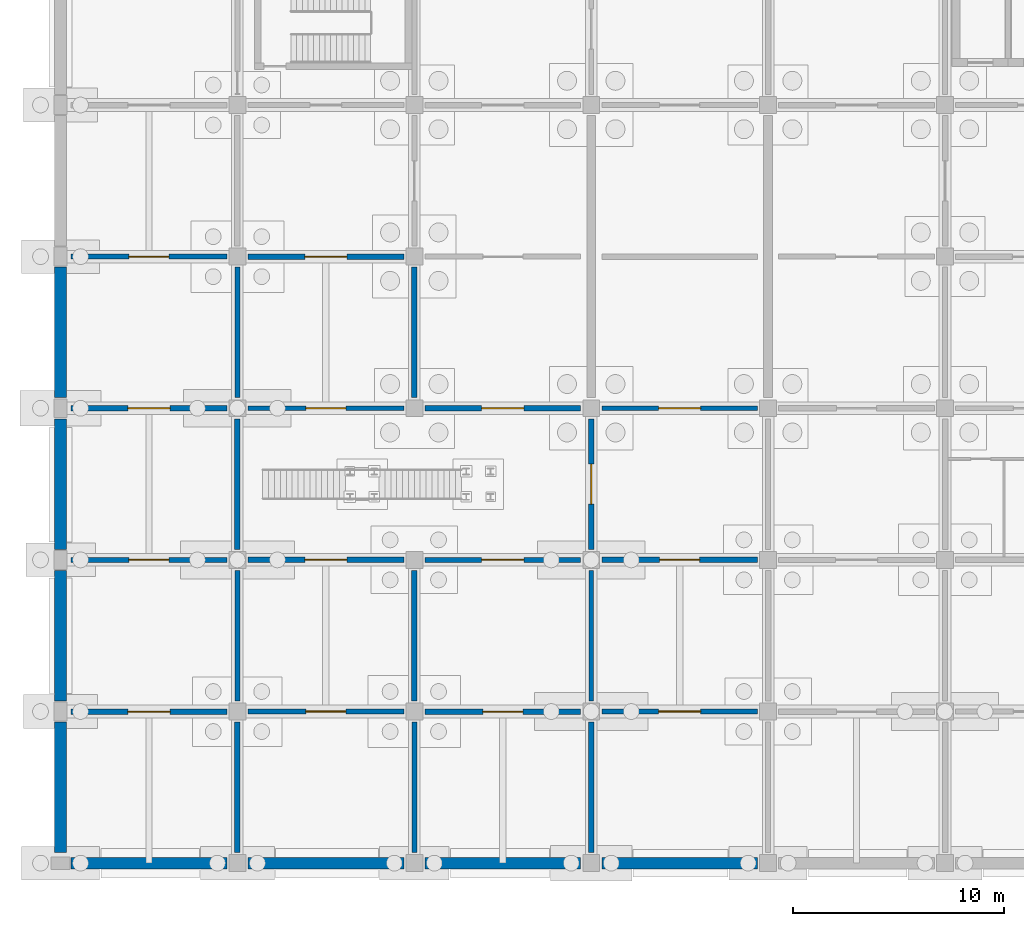
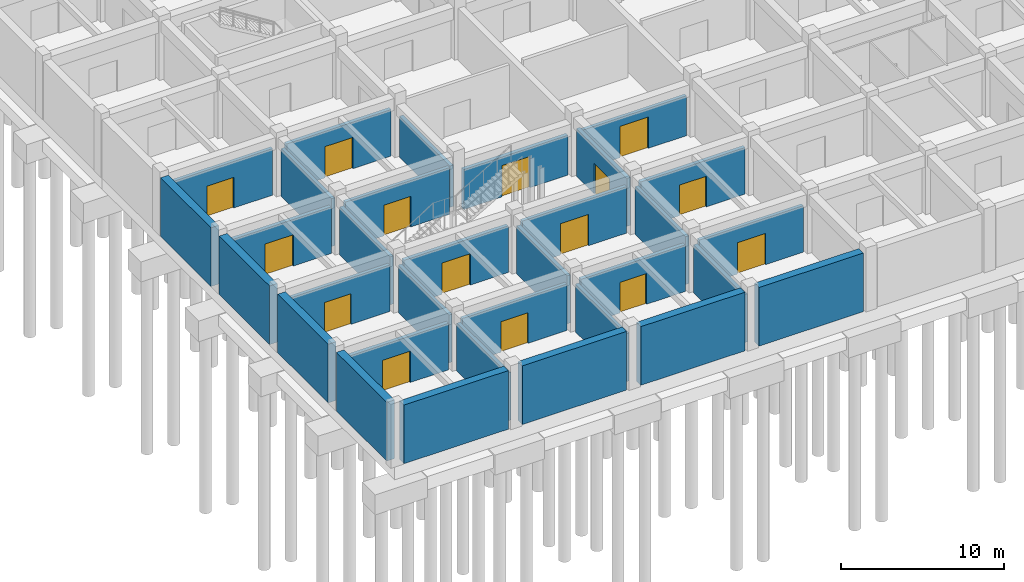
# One storey, part 23 of 38: 32 walls, 15 doors, 15 openings.
"""IFC4 building model written with IfcOpenShell, lengths in metres."""

from ifc_helpers import new_model, si_unit, derived_unit, direction, frame, frame_2d, origin, place, context, subcontext, project, spatial, rectangle, extrude, material, layer, layer_set, type_object, element, fill, save


model = new_model("IFC4")

# Units and contexts
model_context = context("Model", 3, precision=1e-05, world=origin(), true_north=direction((0.0, 1.0)))
body_context = subcontext(model_context, "Body", "Model", "MODEL_VIEW")
ifc_project = project(units=[si_unit("LENGTHUNIT", "METRE"), si_unit("AREAUNIT", "SQUARE_METRE"), si_unit("VOLUMEUNIT", "CUBIC_METRE"), si_unit("PLANEANGLEUNIT", "RADIAN"), si_unit("MASSUNIT", "GRAM", prefix="KILO"), derived_unit("THERMALTRANSMITTANCEUNIT", [(si_unit("MASSUNIT", "GRAM", prefix="KILO"), 1), (si_unit("TIMEUNIT", "SECOND"), -3), (si_unit("THERMODYNAMICTEMPERATUREUNIT", "KELVIN"), -1)])], contexts=[model_context])

# Site, building, storey
site_placement = place(None, origin())
site = spatial("IfcSite", under=ifc_project, at=site_placement, CompositionType="ELEMENT")
building_placement = place(site_placement, origin())
building = spatial("IfcBuilding", under=site, at=building_placement, Name="Veldstrom Oceanarium and Marine Research Institute", CompositionType="ELEMENT")
storey_placement = place(building_placement, frame((0.0, 0.0, -9.60009765625)))
storey = spatial("IfcBuildingStorey", under=building, at=storey_placement, Name="B02", CompositionType="ELEMENT", Elevation=-9.60009765625)

# Wall
ifc_material_1 = material(Name="Masonry Fire Compartment Wall", Category="masonry")
ifc_layer_1 = layer(ifc_material_1, 0.22998046875)
ifc_layer_set_1 = layer_set([ifc_layer_1], Name="ARC-WAL-PT1")
wall_type_1 = type_object("IfcWallType", Name="ARC-WAL-PT1", PredefinedType="PARTITIONING", material=ifc_layer_set_1)
wall_1_placement = place(storey_placement, frame((8.39990234375, 7.699951171875, 0.0), z_axis=(0.0, 0.0, 1.0), x_axis=(0.0, 1.0, 0.0)))
element("IfcWall", 1, at=wall_1_placement, inside=storey, type_object=wall_type_1, Name="Interior Partition PT1 B02-0009", PredefinedType="PARTITIONING", context=body_context, shape_type="SweptSolid", body=[
    extrude(rectangle(XDim=6.199951171875, YDim=0.22998046875, at=frame_2d((3.10009765625, 0.0))), origin(), (0.0, 0.0, 1.0), 3.59521484375),
])

# Wall, opening, door
wall_2_placement = place(storey_placement, frame((0.5, 14.39990234375, 0.0), z_axis=(0.0, 0.0, 1.0), x_axis=(1.0, 0.0, 0.0)))
wall_2 = element("IfcWall", 2, at=wall_2_placement, inside=storey, type_object=wall_type_1, Name="Interior Partition PT1 B02-0010", PredefinedType="PARTITIONING", context=body_context, shape_type="SweptSolid", body=[
    extrude(rectangle(XDim=7.39990234375, YDim=0.22998046875, at=frame_2d((3.699951171875, 0.0))), origin(), (0.0, 0.0, 1.0), 3.4951171875),
])
opening_1_placement = place(wall_2_placement, frame((2.75, 0.0, 0.0)))
opening_1 = element("IfcOpeningElement", 3, at=opening_1_placement, cuts=wall_2, Name="Opening D-B02-008", PredefinedType="OPENING", context=body_context, shape_type="SweptSolid", body=[
    extrude(rectangle(XDim=1.89990234375, YDim=2.300048828125, at=frame_2d((0.949951171875, 1.14990234375))), frame((0.0, 0.125, 0.0), z_axis=(0.0, -1.0, 0.0), x_axis=(1.0, 0.0, 0.0)), (0.0, 0.0, 1.0), 0.25),
])
ifc_material_2 = material(Name="Plant Hall Equipment Door", Category="steel")
door_type_1 = type_object("IfcDoorType", Name="ARC-DOR-ID12", OperationType="DOUBLE_DOOR_SINGLE_SWING", PredefinedType="DOOR", material=ifc_material_2)
door_1_placement = place(opening_1_placement, frame((1.89990234375, 0.0, 0.0), z_axis=(0.0, 0.0, 1.0), x_axis=(-1.0, 0.0, 0.0)))
door_1 = element("IfcDoor", 4, at=door_1_placement, inside=storey, type_object=door_type_1, Name="Interior Door D-B02-008", OperationType="DOUBLE_DOOR_SINGLE_SWING", OverallHeight=2.300048828125, OverallWidth=1.89990234375, PredefinedType="DOOR", context=body_context, shape_type="SweptSolid", body=[
    extrude(rectangle(XDim=1.89990234375, YDim=2.300048828125, at=frame_2d((0.949951171875, 1.14990234375))), frame((0.0, 0.02490234375, 0.0), z_axis=(0.0, -1.0, 0.0), x_axis=(1.0, 0.0, 0.0)), (0.0, 0.0, 1.0), 0.050048828125),
])
fill(opening_1, door_1)

# Wall
wall_3_placement = place(storey_placement, frame((8.39990234375, 22.10009765625, 0.0), z_axis=(0.0, 0.0, 1.0), x_axis=(0.0, 1.0, 0.0)))
element("IfcWall", 5, at=wall_3_placement, inside=storey, type_object=wall_type_1, Name="Interior Partition PT1 B02-0013", PredefinedType="PARTITIONING", context=body_context, shape_type="SweptSolid", body=[
    extrude(rectangle(XDim=6.199951171875, YDim=0.22998046875, at=frame_2d((3.10009765625, 0.0))), origin(), (0.0, 0.0, 1.0), 3.59521484375),
])

# Wall, opening, door
wall_4_placement = place(storey_placement, frame((0.5, 28.800048828125, 0.0), z_axis=(0.0, 0.0, 1.0), x_axis=(1.0, 0.0, 0.0)))
wall_4 = element("IfcWall", 6, at=wall_4_placement, inside=storey, type_object=wall_type_1, Name="Interior Partition PT1 B02-0014", PredefinedType="PARTITIONING", context=body_context, shape_type="SweptSolid", body=[
    extrude(rectangle(XDim=7.39990234375, YDim=0.22998046875, at=frame_2d((3.699951171875, 0.0))), origin(), (0.0, 0.0, 1.0), 3.4951171875),
])
opening_2_placement = place(wall_4_placement, frame((2.75, 0.0, 0.0)))
opening_2 = element("IfcOpeningElement", 7, at=opening_2_placement, cuts=wall_4, Name="Opening D-B02-010", PredefinedType="OPENING", context=body_context, shape_type="SweptSolid", body=[
    extrude(rectangle(XDim=1.89990234375, YDim=2.300048828125, at=frame_2d((0.949951171875, 1.14990234375))), frame((0.0, 0.125, 0.0), z_axis=(0.0, -1.0, 0.0), x_axis=(1.0, 0.0, 0.0)), (0.0, 0.0, 1.0), 0.25),
])
door_2_placement = place(opening_2_placement, frame((1.89990234375, 0.0, 0.0), z_axis=(0.0, 0.0, 1.0), x_axis=(-1.0, 0.0, 0.0)))
door_2 = element("IfcDoor", 8, at=door_2_placement, inside=storey, type_object=door_type_1, Name="Interior Door D-B02-010", OperationType="DOUBLE_DOOR_SINGLE_SWING", OverallHeight=2.300048828125, OverallWidth=1.89990234375, PredefinedType="DOOR", context=body_context, shape_type="SweptSolid", body=[
    extrude(rectangle(XDim=1.89990234375, YDim=2.300048828125, at=frame_2d((0.949951171875, 1.14990234375))), frame((0.0, 0.02490234375, 0.0), z_axis=(0.0, -1.0, 0.0), x_axis=(1.0, 0.0, 0.0)), (0.0, 0.0, 1.0), 0.050048828125),
])
fill(opening_2, door_2)

# Wall
wall_5_placement = place(storey_placement, frame((16.800048828125, 0.5, 0.0), z_axis=(0.0, 0.0, 1.0), x_axis=(0.0, 1.0, 0.0)))
element("IfcWall", 9, at=wall_5_placement, inside=storey, type_object=wall_type_1, Name="Interior Partition PT1 B02-0026", PredefinedType="PARTITIONING", context=body_context, shape_type="SweptSolid", body=[
    extrude(rectangle(XDim=6.199951171875, YDim=0.22998046875, at=frame_2d((3.10009765625, 0.0))), origin(), (0.0, 0.0, 1.0), 3.59521484375),
])

# Wall, opening, door
wall_6_placement = place(storey_placement, frame((8.89990234375, 7.199951171875, 0.0), z_axis=(0.0, 0.0, 1.0), x_axis=(1.0, 0.0, 0.0)))
wall_6 = element("IfcWall", 10, at=wall_6_placement, inside=storey, type_object=wall_type_1, Name="Interior Partition PT1 B02-0027", PredefinedType="PARTITIONING", context=body_context, shape_type="SweptSolid", body=[
    extrude(rectangle(XDim=7.400146484375, YDim=0.22998046875, at=frame_2d((3.7001953125, 0.0))), origin(), (0.0, 0.0, 1.0), 3.4951171875),
])
opening_3_placement = place(wall_6_placement, frame((2.75, 0.0, 0.0)))
opening_3 = element("IfcOpeningElement", 11, at=opening_3_placement, cuts=wall_6, Name="Opening D-B02-018", PredefinedType="OPENING", context=body_context, shape_type="SweptSolid", body=[
    extrude(rectangle(XDim=1.89990234375, YDim=2.300048828125, at=frame_2d((0.949951171875, 1.14990234375))), frame((0.0, 0.125, 0.0), z_axis=(0.0, -1.0, 0.0), x_axis=(1.0, 0.0, 0.0)), (0.0, 0.0, 1.0), 0.25),
])
door_3_placement = place(opening_3_placement, frame((1.89990234375, 0.0, 0.0), z_axis=(0.0, 0.0, 1.0), x_axis=(-1.0, 0.0, 0.0)))
door_3 = element("IfcDoor", 12, at=door_3_placement, inside=storey, type_object=door_type_1, Name="Interior Door D-B02-018", OperationType="DOUBLE_DOOR_SINGLE_SWING", OverallHeight=2.300048828125, OverallWidth=1.89990234375, PredefinedType="DOOR", context=body_context, shape_type="SweptSolid", body=[
    extrude(rectangle(XDim=1.89990234375, YDim=2.300048828125, at=frame_2d((0.949951171875, 1.14990234375))), frame((0.0, 0.02490234375, 0.0), z_axis=(0.0, -1.0, 0.0), x_axis=(1.0, 0.0, 0.0)), (0.0, 0.0, 1.0), 0.050048828125),
])
fill(opening_3, door_3)

wall_7_placement = place(storey_placement, frame((8.89990234375, 21.60009765625, 0.0), z_axis=(0.0, 0.0, 1.0), x_axis=(1.0, 0.0, 0.0)))
wall_7 = element("IfcWall", 13, at=wall_7_placement, inside=storey, type_object=wall_type_1, Name="Interior Partition PT1 B02-0030", PredefinedType="PARTITIONING", context=body_context, shape_type="SweptSolid", body=[
    extrude(rectangle(XDim=7.400146484375, YDim=0.22998046875, at=frame_2d((3.7001953125, 0.0))), origin(), (0.0, 0.0, 1.0), 3.4951171875),
])
opening_4_placement = place(wall_7_placement, frame((2.75, 0.0, 0.0)))
opening_4 = element("IfcOpeningElement", 14, at=opening_4_placement, cuts=wall_7, Name="Opening D-B02-020", PredefinedType="OPENING", context=body_context, shape_type="SweptSolid", body=[
    extrude(rectangle(XDim=1.89990234375, YDim=2.300048828125, at=frame_2d((0.949951171875, 1.14990234375))), frame((0.0, 0.125, 0.0), z_axis=(0.0, -1.0, 0.0), x_axis=(1.0, 0.0, 0.0)), (0.0, 0.0, 1.0), 0.25),
])
door_4_placement = place(opening_4_placement, frame((1.89990234375, 0.0, 0.0), z_axis=(0.0, 0.0, 1.0), x_axis=(-1.0, 0.0, 0.0)))
door_4 = element("IfcDoor", 15, at=door_4_placement, inside=storey, type_object=door_type_1, Name="Interior Door D-B02-020", OperationType="DOUBLE_DOOR_SINGLE_SWING", OverallHeight=2.300048828125, OverallWidth=1.89990234375, PredefinedType="DOOR", context=body_context, shape_type="SweptSolid", body=[
    extrude(rectangle(XDim=1.89990234375, YDim=2.300048828125, at=frame_2d((0.949951171875, 1.14990234375))), frame((0.0, 0.02490234375, 0.0), z_axis=(0.0, -1.0, 0.0), x_axis=(1.0, 0.0, 0.0)), (0.0, 0.0, 1.0), 0.050048828125),
])
fill(opening_4, door_4)

# Wall
wall_8_placement = place(storey_placement, frame((25.199951171875, 7.699951171875, 0.0), z_axis=(0.0, 0.0, 1.0), x_axis=(0.0, 1.0, 0.0)))
element("IfcWall", 16, at=wall_8_placement, inside=storey, type_object=wall_type_1, Name="Interior Partition PT1 B02-0046", PredefinedType="PARTITIONING", context=body_context, shape_type="SweptSolid", body=[
    extrude(rectangle(XDim=6.199951171875, YDim=0.22998046875, at=frame_2d((3.10009765625, 0.0))), origin(), (0.0, 0.0, 1.0), 3.59521484375),
])

# Wall, opening, door
wall_9_placement = place(storey_placement, frame((17.300048828125, 14.39990234375, 0.0), z_axis=(0.0, 0.0, 1.0), x_axis=(1.0, 0.0, 0.0)))
wall_9 = element("IfcWall", 17, at=wall_9_placement, inside=storey, type_object=wall_type_1, Name="Interior Partition PT1 B02-0047", PredefinedType="PARTITIONING", context=body_context, shape_type="SweptSolid", body=[
    extrude(rectangle(XDim=7.39990234375, YDim=0.22998046875, at=frame_2d((3.699951171875, 0.0))), origin(), (0.0, 0.0, 1.0), 3.4951171875),
])
opening_5_placement = place(wall_9_placement, frame((2.699951171875, 0.0, 0.0)))
opening_5 = element("IfcOpeningElement", 18, at=opening_5_placement, cuts=wall_9, Name="Opening D-B02-029", PredefinedType="OPENING", context=body_context, shape_type="SweptSolid", body=[
    extrude(rectangle(XDim=2.0, YDim=2.35009765625, at=frame_2d((1.0, 1.175048828125))), frame((0.0, 0.125, 0.0), z_axis=(0.0, -1.0, 0.0), x_axis=(1.0, 0.0, 0.0)), (0.0, 0.0, 1.0), 0.25),
])
ifc_material_3 = material(Name="Filtration Hall Double Door", Category="steel")
door_type_2 = type_object("IfcDoorType", Name="ARC-DOR-ID18", OperationType="DOUBLE_DOOR_SINGLE_SWING", PredefinedType="DOOR", material=ifc_material_3)
door_5_placement = place(opening_5_placement, frame((2.0, 0.0, 0.0), z_axis=(0.0, 0.0, 1.0), x_axis=(-1.0, 0.0, 0.0)))
door_5 = element("IfcDoor", 19, at=door_5_placement, inside=storey, type_object=door_type_2, Name="Interior Door D-B02-029", OperationType="DOUBLE_DOOR_SINGLE_SWING", OverallHeight=2.35009765625, OverallWidth=2.0, PredefinedType="DOOR", context=body_context, shape_type="SweptSolid", body=[
    extrude(rectangle(XDim=2.0, YDim=2.35009765625, at=frame_2d((1.0, 1.175048828125))), frame((0.0, 0.02490234375, 0.0), z_axis=(0.0, -1.0, 0.0), x_axis=(1.0, 0.0, 0.0)), (0.0, 0.0, 1.0), 0.050048828125),
])
fill(opening_5, door_5)

wall_10_placement = place(storey_placement, frame((25.699951171875, 7.199951171875, 0.0), z_axis=(0.0, 0.0, 1.0), x_axis=(1.0, 0.0, 0.0)))
wall_10 = element("IfcWall", 20, at=wall_10_placement, inside=storey, type_object=wall_type_1, Name="Interior Partition PT1 B02-0062", PredefinedType="PARTITIONING", context=body_context, shape_type="SweptSolid", body=[
    extrude(rectangle(XDim=7.400146484375, YDim=0.22998046875, at=frame_2d((3.7001953125, 0.0))), origin(), (0.0, 0.0, 1.0), 3.4951171875),
])
opening_6_placement = place(wall_10_placement, frame((2.699951171875, 0.0, 0.0)))
opening_6 = element("IfcOpeningElement", 21, at=opening_6_placement, cuts=wall_10, Name="Opening D-B02-039", PredefinedType="OPENING", context=body_context, shape_type="SweptSolid", body=[
    extrude(rectangle(XDim=2.0, YDim=2.35009765625, at=frame_2d((1.0, 1.175048828125))), frame((0.0, 0.125, 0.0), z_axis=(0.0, -1.0, 0.0), x_axis=(1.0, 0.0, 0.0)), (0.0, 0.0, 1.0), 0.25),
])
door_6_placement = place(opening_6_placement, frame((2.0, 0.0, 0.0), z_axis=(0.0, 0.0, 1.0), x_axis=(-1.0, 0.0, 0.0)))
door_6 = element("IfcDoor", 22, at=door_6_placement, inside=storey, type_object=door_type_2, Name="Interior Door D-B02-039", OperationType="DOUBLE_DOOR_SINGLE_SWING", OverallHeight=2.35009765625, OverallWidth=2.0, PredefinedType="DOOR", context=body_context, shape_type="SweptSolid", body=[
    extrude(rectangle(XDim=2.0, YDim=2.35009765625, at=frame_2d((1.0, 1.175048828125))), frame((0.0, 0.02490234375, 0.0), z_axis=(0.0, -1.0, 0.0), x_axis=(1.0, 0.0, 0.0)), (0.0, 0.0, 1.0), 0.050048828125),
])
fill(opening_6, door_6)

wall_11_placement = place(storey_placement, frame((25.699951171875, 21.60009765625, 0.0), z_axis=(0.0, 0.0, 1.0), x_axis=(1.0, 0.0, 0.0)))
wall_11 = element("IfcWall", 23, at=wall_11_placement, inside=storey, type_object=wall_type_1, Name="Interior Partition PT1 B02-0066", PredefinedType="PARTITIONING", context=body_context, shape_type="SweptSolid", body=[
    extrude(rectangle(XDim=7.400146484375, YDim=0.22998046875, at=frame_2d((3.7001953125, 0.0))), origin(), (0.0, 0.0, 1.0), 2.9951171875),
])
opening_7_placement = place(wall_11_placement, frame((2.699951171875, 0.0, 0.0)))
opening_7 = element("IfcOpeningElement", 24, at=opening_7_placement, cuts=wall_11, Name="Opening D-B02-041", PredefinedType="OPENING", context=body_context, shape_type="SweptSolid", body=[
    extrude(rectangle(XDim=2.0, YDim=2.35009765625, at=frame_2d((1.0, 1.175048828125))), frame((0.0, 0.125, 0.0), z_axis=(0.0, -1.0, 0.0), x_axis=(1.0, 0.0, 0.0)), (0.0, 0.0, 1.0), 0.25),
])
door_7_placement = place(opening_7_placement, frame((2.0, 0.0, 0.0), z_axis=(0.0, 0.0, 1.0), x_axis=(-1.0, 0.0, 0.0)))
door_7 = element("IfcDoor", 25, at=door_7_placement, inside=storey, type_object=door_type_2, Name="Interior Door D-B02-041", OperationType="DOUBLE_DOOR_SINGLE_SWING", OverallHeight=2.35009765625, OverallWidth=2.0, PredefinedType="DOOR", context=body_context, shape_type="SweptSolid", body=[
    extrude(rectangle(XDim=2.0, YDim=2.35009765625, at=frame_2d((1.0, 1.175048828125))), frame((0.0, 0.02490234375, 0.0), z_axis=(0.0, -1.0, 0.0), x_axis=(1.0, 0.0, 0.0)), (0.0, 0.0, 1.0), 0.050048828125),
])
fill(opening_7, door_7)

# Wall
ifc_material_4 = material(Name="Plant Acoustic Masonry Wall", Category="masonry")
ifc_layer_2 = layer(ifc_material_4, 0.260009765625)
ifc_layer_set_2 = layer_set([ifc_layer_2], Name="ARC-WAL-PT8")
wall_type_2 = type_object("IfcWallType", Name="ARC-WAL-PT8", PredefinedType="PARTITIONING", material=ifc_layer_set_2)
wall_12_placement = place(storey_placement, frame((8.39990234375, 0.5, 0.0), z_axis=(0.0, 0.0, 1.0), x_axis=(0.0, 1.0, 0.0)))
element("IfcWall", 26, at=wall_12_placement, inside=storey, type_object=wall_type_2, Name="Interior Partition PT8 B02-0007", PredefinedType="PARTITIONING", context=body_context, shape_type="SweptSolid", body=[
    extrude(rectangle(XDim=6.199951171875, YDim=0.260009765625, at=frame_2d((3.10009765625, 0.0))), origin(), (0.0, 0.0, 1.0), 3.59521484375),
])

# Wall, opening, door
wall_13_placement = place(storey_placement, frame((0.5, 7.199951171875, 0.0), z_axis=(0.0, 0.0, 1.0), x_axis=(1.0, 0.0, 0.0)))
wall_13 = element("IfcWall", 27, at=wall_13_placement, inside=storey, type_object=wall_type_2, Name="Interior Partition PT8 B02-0008", PredefinedType="PARTITIONING", context=body_context, shape_type="SweptSolid", body=[
    extrude(rectangle(XDim=7.39990234375, YDim=0.260009765625, at=frame_2d((3.699951171875, 0.0))), origin(), (0.0, 0.0, 1.0), 3.4951171875),
])
opening_8_placement = place(wall_13_placement, frame((2.699951171875, 0.0, 0.0)))
opening_8 = element("IfcOpeningElement", 28, at=opening_8_placement, cuts=wall_13, Name="Opening D-B02-007", PredefinedType="OPENING", context=body_context, shape_type="SweptSolid", body=[
    extrude(rectangle(XDim=2.0, YDim=2.35009765625, at=frame_2d((1.0, 1.175048828125))), frame((0.0, 0.139892578125, 0.0), z_axis=(0.0, -1.0, 0.0), x_axis=(1.0, 0.0, 0.0)), (0.0, 0.0, 1.0), 0.280029296875),
])
door_8_placement = place(opening_8_placement, origin())
door_8 = element("IfcDoor", 29, at=door_8_placement, inside=storey, type_object=door_type_2, Name="Interior Door D-B02-007", OperationType="DOUBLE_DOOR_SINGLE_SWING", OverallHeight=2.35009765625, OverallWidth=2.0, PredefinedType="DOOR", context=body_context, shape_type="SweptSolid", body=[
    extrude(rectangle(XDim=2.0, YDim=2.35009765625, at=frame_2d((1.0, 1.175048828125))), frame((0.0, 0.02490234375, 0.0), z_axis=(0.0, -1.0, 0.0), x_axis=(1.0, 0.0, 0.0)), (0.0, 0.0, 1.0), 0.050048828125),
])
fill(opening_8, door_8)

# Wall
wall_14_placement = place(storey_placement, frame((8.39990234375, 14.89990234375, 0.0), z_axis=(0.0, 0.0, 1.0), x_axis=(0.0, 1.0, 0.0)))
element("IfcWall", 30, at=wall_14_placement, inside=storey, type_object=wall_type_2, Name="Interior Partition PT8 B02-0011", PredefinedType="PARTITIONING", context=body_context, shape_type="SweptSolid", body=[
    extrude(rectangle(XDim=6.2001953125, YDim=0.260009765625, at=frame_2d((3.10009765625, 0.0))), origin(), (0.0, 0.0, 1.0), 3.59521484375),
])

# Wall, opening, door
wall_15_placement = place(storey_placement, frame((0.5, 21.60009765625, 0.0), z_axis=(0.0, 0.0, 1.0), x_axis=(1.0, 0.0, 0.0)))
wall_15 = element("IfcWall", 31, at=wall_15_placement, inside=storey, type_object=wall_type_2, Name="Interior Partition PT8 B02-0012", PredefinedType="PARTITIONING", context=body_context, shape_type="SweptSolid", body=[
    extrude(rectangle(XDim=7.39990234375, YDim=0.260009765625, at=frame_2d((3.699951171875, 0.0))), origin(), (0.0, 0.0, 1.0), 3.4951171875),
])
opening_9_placement = place(wall_15_placement, frame((2.699951171875, 0.0, 0.0)))
opening_9 = element("IfcOpeningElement", 32, at=opening_9_placement, cuts=wall_15, Name="Opening D-B02-009", PredefinedType="OPENING", context=body_context, shape_type="SweptSolid", body=[
    extrude(rectangle(XDim=2.0, YDim=2.35009765625, at=frame_2d((1.0, 1.175048828125))), frame((0.0, 0.139892578125, 0.0), z_axis=(0.0, -1.0, 0.0), x_axis=(1.0, 0.0, 0.0)), (0.0, 0.0, 1.0), 0.280029296875),
])
door_9_placement = place(opening_9_placement, origin())
door_9 = element("IfcDoor", 33, at=door_9_placement, inside=storey, type_object=door_type_2, Name="Interior Door D-B02-009", OperationType="DOUBLE_DOOR_SINGLE_SWING", OverallHeight=2.35009765625, OverallWidth=2.0, PredefinedType="DOOR", context=body_context, shape_type="SweptSolid", body=[
    extrude(rectangle(XDim=2.0, YDim=2.35009765625, at=frame_2d((1.0, 1.175048828125))), frame((0.0, 0.02490234375, 0.0), z_axis=(0.0, -1.0, 0.0), x_axis=(1.0, 0.0, 0.0)), (0.0, 0.0, 1.0), 0.050048828125),
])
fill(opening_9, door_9)

# Wall
wall_16_placement = place(storey_placement, frame((16.800048828125, 7.699951171875, 0.0), z_axis=(0.0, 0.0, 1.0), x_axis=(0.0, 1.0, 0.0)))
element("IfcWall", 34, at=wall_16_placement, inside=storey, type_object=wall_type_2, Name="Interior Partition PT8 B02-0028", PredefinedType="PARTITIONING", context=body_context, shape_type="SweptSolid", body=[
    extrude(rectangle(XDim=6.199951171875, YDim=0.260009765625, at=frame_2d((3.10009765625, 0.0))), origin(), (0.0, 0.0, 1.0), 3.59521484375),
])

# Wall, opening, door
wall_17_placement = place(storey_placement, frame((8.89990234375, 14.39990234375, 0.0), z_axis=(0.0, 0.0, 1.0), x_axis=(1.0, 0.0, 0.0)))
wall_17 = element("IfcWall", 35, at=wall_17_placement, inside=storey, type_object=wall_type_2, Name="Interior Partition PT8 B02-0029", PredefinedType="PARTITIONING", context=body_context, shape_type="SweptSolid", body=[
    extrude(rectangle(XDim=7.400146484375, YDim=0.260009765625, at=frame_2d((3.7001953125, 0.0))), origin(), (0.0, 0.0, 1.0), 3.4951171875),
])
opening_10_placement = place(wall_17_placement, frame((2.699951171875, 0.0, 0.0)))
opening_10 = element("IfcOpeningElement", 36, at=opening_10_placement, cuts=wall_17, Name="Opening D-B02-019", PredefinedType="OPENING", context=body_context, shape_type="SweptSolid", body=[
    extrude(rectangle(XDim=2.0, YDim=2.35009765625, at=frame_2d((1.0, 1.175048828125))), frame((0.0, 0.139892578125, 0.0), z_axis=(0.0, -1.0, 0.0), x_axis=(1.0, 0.0, 0.0)), (0.0, 0.0, 1.0), 0.280029296875),
])
door_10_placement = place(opening_10_placement, origin())
door_10 = element("IfcDoor", 37, at=door_10_placement, inside=storey, type_object=door_type_2, Name="Interior Door D-B02-019", OperationType="DOUBLE_DOOR_SINGLE_SWING", OverallHeight=2.35009765625, OverallWidth=2.0, PredefinedType="DOOR", context=body_context, shape_type="SweptSolid", body=[
    extrude(rectangle(XDim=2.0, YDim=2.35009765625, at=frame_2d((1.0, 1.175048828125))), frame((0.0, 0.02490234375, 0.0), z_axis=(0.0, -1.0, 0.0), x_axis=(1.0, 0.0, 0.0)), (0.0, 0.0, 1.0), 0.050048828125),
])
fill(opening_10, door_10)

# Wall
wall_18_placement = place(storey_placement, frame((16.800048828125, 22.10009765625, 0.0), z_axis=(0.0, 0.0, 1.0), x_axis=(0.0, 1.0, 0.0)))
element("IfcWall", 38, at=wall_18_placement, inside=storey, type_object=wall_type_2, Name="Interior Partition PT8 B02-0031", PredefinedType="PARTITIONING", context=body_context, shape_type="SweptSolid", body=[
    extrude(rectangle(XDim=6.199951171875, YDim=0.260009765625, at=frame_2d((3.10009765625, 0.0))), origin(), (0.0, 0.0, 1.0), 3.09521484375),
])

# Wall, opening, door
wall_19_placement = place(storey_placement, frame((8.89990234375, 28.800048828125, 0.0), z_axis=(0.0, 0.0, 1.0), x_axis=(1.0, 0.0, 0.0)))
wall_19 = element("IfcWall", 39, at=wall_19_placement, inside=storey, type_object=wall_type_2, Name="Interior Partition PT8 B02-0032", PredefinedType="PARTITIONING", context=body_context, shape_type="SweptSolid", body=[
    extrude(rectangle(XDim=7.400146484375, YDim=0.260009765625, at=frame_2d((3.7001953125, 0.0))), origin(), (0.0, 0.0, 1.0), 3.4951171875),
])
opening_11_placement = place(wall_19_placement, frame((2.699951171875, 0.0, 0.0)))
opening_11 = element("IfcOpeningElement", 40, at=opening_11_placement, cuts=wall_19, Name="Opening D-B02-021", PredefinedType="OPENING", context=body_context, shape_type="SweptSolid", body=[
    extrude(rectangle(XDim=2.0, YDim=2.35009765625, at=frame_2d((1.0, 1.175048828125))), frame((0.0, 0.139892578125, 0.0), z_axis=(0.0, -1.0, 0.0), x_axis=(1.0, 0.0, 0.0)), (0.0, 0.0, 1.0), 0.280029296875),
])
door_11_placement = place(opening_11_placement, origin())
door_11 = element("IfcDoor", 41, at=door_11_placement, inside=storey, type_object=door_type_2, Name="Interior Door D-B02-021", OperationType="DOUBLE_DOOR_SINGLE_SWING", OverallHeight=2.35009765625, OverallWidth=2.0, PredefinedType="DOOR", context=body_context, shape_type="SweptSolid", body=[
    extrude(rectangle(XDim=2.0, YDim=2.35009765625, at=frame_2d((1.0, 1.175048828125))), frame((0.0, 0.02490234375, 0.0), z_axis=(0.0, -1.0, 0.0), x_axis=(1.0, 0.0, 0.0)), (0.0, 0.0, 1.0), 0.050048828125),
])
fill(opening_11, door_11)

# Wall
wall_20_placement = place(storey_placement, frame((25.199951171875, 0.5, 0.0), z_axis=(0.0, 0.0, 1.0), x_axis=(0.0, 1.0, 0.0)))
element("IfcWall", 42, at=wall_20_placement, inside=storey, type_object=wall_type_2, Name="Interior Partition PT8 B02-0044", PredefinedType="PARTITIONING", context=body_context, shape_type="SweptSolid", body=[
    extrude(rectangle(XDim=6.199951171875, YDim=0.260009765625, at=frame_2d((3.10009765625, 0.0))), origin(), (0.0, 0.0, 1.0), 3.59521484375),
])

# Wall, opening, door
wall_21_placement = place(storey_placement, frame((17.300048828125, 7.199951171875, 0.0), z_axis=(0.0, 0.0, 1.0), x_axis=(1.0, 0.0, 0.0)))
wall_21 = element("IfcWall", 43, at=wall_21_placement, inside=storey, type_object=wall_type_2, Name="Interior Partition PT8 B02-0045", PredefinedType="PARTITIONING", context=body_context, shape_type="SweptSolid", body=[
    extrude(rectangle(XDim=7.39990234375, YDim=0.260009765625, at=frame_2d((3.699951171875, 0.0))), origin(), (0.0, 0.0, 1.0), 3.4951171875),
])
opening_12_placement = place(wall_21_placement, frame((2.75, 0.0, 0.0)))
opening_12 = element("IfcOpeningElement", 44, at=opening_12_placement, cuts=wall_21, Name="Opening D-B02-028", PredefinedType="OPENING", context=body_context, shape_type="SweptSolid", body=[
    extrude(rectangle(XDim=1.89990234375, YDim=2.300048828125, at=frame_2d((0.949951171875, 1.14990234375))), frame((0.0, 0.139892578125, 0.0), z_axis=(0.0, -1.0, 0.0), x_axis=(1.0, 0.0, 0.0)), (0.0, 0.0, 1.0), 0.280029296875),
])
door_12_placement = place(opening_12_placement, origin())
door_12 = element("IfcDoor", 45, at=door_12_placement, inside=storey, type_object=door_type_1, Name="Interior Door D-B02-028", OperationType="DOUBLE_DOOR_SINGLE_SWING", OverallHeight=2.300048828125, OverallWidth=1.89990234375, PredefinedType="DOOR", context=body_context, shape_type="SweptSolid", body=[
    extrude(rectangle(XDim=1.89990234375, YDim=2.300048828125, at=frame_2d((0.949951171875, 1.14990234375))), frame((0.0, 0.02490234375, 0.0), z_axis=(0.0, -1.0, 0.0), x_axis=(1.0, 0.0, 0.0)), (0.0, 0.0, 1.0), 0.050048828125),
])
fill(opening_12, door_12)

wall_22_placement = place(storey_placement, frame((25.199951171875, 14.89990234375, 0.0), z_axis=(0.0, 0.0, 1.0), x_axis=(0.0, 1.0, 0.0)))
wall_22 = element("IfcWall", 46, at=wall_22_placement, inside=storey, type_object=wall_type_2, Name="Interior Partition PT8 B02-0048", PredefinedType="PARTITIONING", context=body_context, shape_type="SweptSolid", body=[
    extrude(rectangle(XDim=6.2001953125, YDim=0.260009765625, at=frame_2d((3.10009765625, 0.0))), origin(), (0.0, 0.0, 1.0), 3.59521484375),
])
opening_13_placement = place(wall_22_placement, frame((2.14990234375, 0.0, 0.0)))
opening_13 = element("IfcOpeningElement", 47, at=opening_13_placement, cuts=wall_22, Name="Opening D-B02-030", PredefinedType="OPENING", context=body_context, shape_type="SweptSolid", body=[
    extrude(rectangle(XDim=1.89990234375, YDim=2.300048828125, at=frame_2d((0.949951171875, 1.14990234375))), frame((0.0, 0.139892578125, 0.0), z_axis=(0.0, -1.0, 0.0), x_axis=(1.0, 0.0, 0.0)), (0.0, 0.0, 1.0), 0.280029296875),
])
door_13_placement = place(opening_13_placement, frame((1.89990234375, 0.0, 0.0), z_axis=(0.0, 0.0, 1.0), x_axis=(-1.0, 0.0, 0.0)))
door_13 = element("IfcDoor", 48, at=door_13_placement, inside=storey, type_object=door_type_1, Name="Interior Door D-B02-030", OperationType="DOUBLE_DOOR_SINGLE_SWING", OverallHeight=2.300048828125, OverallWidth=1.89990234375, PredefinedType="DOOR", context=body_context, shape_type="SweptSolid", body=[
    extrude(rectangle(XDim=1.89990234375, YDim=2.300048828125, at=frame_2d((0.949951171875, 1.14990234375))), frame((0.0, 0.02490234375, 0.0), z_axis=(0.0, -1.0, 0.0), x_axis=(1.0, 0.0, 0.0)), (0.0, 0.0, 1.0), 0.050048828125),
])
fill(opening_13, door_13)

wall_23_placement = place(storey_placement, frame((17.300048828125, 21.60009765625, 0.0), z_axis=(0.0, 0.0, 1.0), x_axis=(1.0, 0.0, 0.0)))
wall_23 = element("IfcWall", 49, at=wall_23_placement, inside=storey, type_object=wall_type_2, Name="Interior Partition PT8 B02-0049", PredefinedType="PARTITIONING", context=body_context, shape_type="SweptSolid", body=[
    extrude(rectangle(XDim=7.39990234375, YDim=0.260009765625, at=frame_2d((3.699951171875, 0.0))), origin(), (0.0, 0.0, 1.0), 2.9951171875),
])
opening_14_placement = place(wall_23_placement, frame((2.699951171875, 0.0, 0.0)))
opening_14 = element("IfcOpeningElement", 50, at=opening_14_placement, cuts=wall_23, Name="Opening D-B02-031", PredefinedType="OPENING", context=body_context, shape_type="SweptSolid", body=[
    extrude(rectangle(XDim=2.0, YDim=2.35009765625, at=frame_2d((1.0, 1.175048828125))), frame((0.0, 0.139892578125, 0.0), z_axis=(0.0, -1.0, 0.0), x_axis=(1.0, 0.0, 0.0)), (0.0, 0.0, 1.0), 0.280029296875),
])
door_14_placement = place(opening_14_placement, origin())
door_14 = element("IfcDoor", 51, at=door_14_placement, inside=storey, type_object=door_type_2, Name="Interior Door D-B02-031", OperationType="DOUBLE_DOOR_SINGLE_SWING", OverallHeight=2.35009765625, OverallWidth=2.0, PredefinedType="DOOR", context=body_context, shape_type="SweptSolid", body=[
    extrude(rectangle(XDim=2.0, YDim=2.35009765625, at=frame_2d((1.0, 1.175048828125))), frame((0.0, 0.02490234375, 0.0), z_axis=(0.0, -1.0, 0.0), x_axis=(1.0, 0.0, 0.0)), (0.0, 0.0, 1.0), 0.050048828125),
])
fill(opening_14, door_14)

wall_24_placement = place(storey_placement, frame((25.699951171875, 14.39990234375, 0.0), z_axis=(0.0, 0.0, 1.0), x_axis=(1.0, 0.0, 0.0)))
wall_24 = element("IfcWall", 52, at=wall_24_placement, inside=storey, type_object=wall_type_2, Name="Interior Partition PT8 B02-0064", PredefinedType="PARTITIONING", context=body_context, shape_type="SweptSolid", body=[
    extrude(rectangle(XDim=7.400146484375, YDim=0.260009765625, at=frame_2d((3.7001953125, 0.0))), origin(), (0.0, 0.0, 1.0), 3.4951171875),
])
opening_15_placement = place(wall_24_placement, frame((2.75, 0.0, 0.0)))
opening_15 = element("IfcOpeningElement", 53, at=opening_15_placement, cuts=wall_24, Name="Opening D-B02-040", PredefinedType="OPENING", context=body_context, shape_type="SweptSolid", body=[
    extrude(rectangle(XDim=1.89990234375, YDim=2.300048828125, at=frame_2d((0.949951171875, 1.14990234375))), frame((0.0, 0.139892578125, 0.0), z_axis=(0.0, -1.0, 0.0), x_axis=(1.0, 0.0, 0.0)), (0.0, 0.0, 1.0), 0.280029296875),
])
door_15_placement = place(opening_15_placement, origin())
door_15 = element("IfcDoor", 54, at=door_15_placement, inside=storey, type_object=door_type_1, Name="Interior Door D-B02-040", OperationType="DOUBLE_DOOR_SINGLE_SWING", OverallHeight=2.300048828125, OverallWidth=1.89990234375, PredefinedType="DOOR", context=body_context, shape_type="SweptSolid", body=[
    extrude(rectangle(XDim=1.89990234375, YDim=2.300048828125, at=frame_2d((0.949951171875, 1.14990234375))), frame((0.0, 0.02490234375, 0.0), z_axis=(0.0, -1.0, 0.0), x_axis=(1.0, 0.0, 0.0)), (0.0, 0.0, 1.0), 0.050048828125),
])
fill(opening_15, door_15)

# Walls
ifc_material_5 = material(Name="Concrete C40/50", Category="concrete")
ifc_layer_3 = layer(ifc_material_5, 0.550048828125)
ifc_layer_set_3 = layer_set([ifc_layer_3], Name="STR-WAL-WR1")
wall_type_3 = type_object("IfcWallType", Name="STR-WAL-WR1", PredefinedType="USERDEFINED", material=ifc_layer_set_3)
wall_25_placement = place(storey_placement, frame((0.5, 0.0, 0.0), z_axis=(0.0, 0.0, 1.0), x_axis=(1.0, 0.0, 0.0)))
element("IfcWall", 55, at=wall_25_placement, inside=storey, type_object=wall_type_3, Name="Basement Retaining Wall WR1-B02-001", ObjectType="Retaining wall", PredefinedType="USERDEFINED", context=body_context, shape_type="SweptSolid", body=[
    extrude(rectangle(XDim=7.39990234375, YDim=0.550048828125, at=frame_2d((3.699951171875, 0.0))), origin(), (0.0, 0.0, 1.0), 4.400146484375),
])
for number, where, z_axis, x_axis, name in (
    (56, (0.0, 0.5, 0.0), (0.0, 0.0, 1.0), (0.0, 1.0, 0.0), "Basement Retaining Wall WR1-B02-002"),
    (57, (0.0, 7.699951171875, 0.0), (0.0, 0.0, 1.0), (0.0, 1.0, 0.0), "Basement Retaining Wall WR1-B02-003"),
):
    element("IfcWall", number, at=place(storey_placement, frame(where, z_axis=z_axis, x_axis=x_axis)), inside=storey, type_object=wall_type_3, Name=name, ObjectType="Retaining wall", PredefinedType="USERDEFINED", context=body_context, shape_type="SweptSolid", body=[
        extrude(rectangle(XDim=6.199951171875, YDim=0.550048828125, at=frame_2d((3.10009765625, 0.0))), origin(), (0.0, 0.0, 1.0), 4.400146484375),
    ])
wall_26_placement = place(storey_placement, frame((0.0, 14.89990234375, 0.0), z_axis=(0.0, 0.0, 1.0), x_axis=(0.0, 1.0, 0.0)))
element("IfcWall", 58, at=wall_26_placement, inside=storey, type_object=wall_type_3, Name="Basement Retaining Wall WR1-B02-004", ObjectType="Retaining wall", PredefinedType="USERDEFINED", context=body_context, shape_type="SweptSolid", body=[
    extrude(rectangle(XDim=6.2001953125, YDim=0.550048828125, at=frame_2d((3.10009765625, 0.0))), origin(), (0.0, 0.0, 1.0), 4.400146484375),
])
wall_27_placement = place(storey_placement, frame((0.0, 22.10009765625, 0.0), z_axis=(0.0, 0.0, 1.0), x_axis=(0.0, 1.0, 0.0)))
element("IfcWall", 59, at=wall_27_placement, inside=storey, type_object=wall_type_3, Name="Basement Retaining Wall WR1-B02-005", ObjectType="Retaining wall", PredefinedType="USERDEFINED", context=body_context, shape_type="SweptSolid", body=[
    extrude(rectangle(XDim=6.199951171875, YDim=0.550048828125, at=frame_2d((3.10009765625, 0.0))), origin(), (0.0, 0.0, 1.0), 4.400146484375),
])
wall_28_placement = place(storey_placement, frame((8.89990234375, 0.0, 0.0), z_axis=(0.0, 0.0, 1.0), x_axis=(1.0, 0.0, 0.0)))
element("IfcWall", 60, at=wall_28_placement, inside=storey, type_object=wall_type_3, Name="Basement Retaining Wall WR1-B02-013", ObjectType="Retaining wall", PredefinedType="USERDEFINED", context=body_context, shape_type="SweptSolid", body=[
    extrude(rectangle(XDim=7.400146484375, YDim=0.550048828125, at=frame_2d((3.7001953125, 0.0))), origin(), (0.0, 0.0, 1.0), 4.400146484375),
])
wall_29_placement = place(storey_placement, frame((17.300048828125, 0.0, 0.0), z_axis=(0.0, 0.0, 1.0), x_axis=(1.0, 0.0, 0.0)))
element("IfcWall", 61, at=wall_29_placement, inside=storey, type_object=wall_type_3, Name="Basement Retaining Wall WR1-B02-015", ObjectType="Retaining wall", PredefinedType="USERDEFINED", context=body_context, shape_type="SweptSolid", body=[
    extrude(rectangle(XDim=7.39990234375, YDim=0.550048828125, at=frame_2d((3.699951171875, 0.0))), origin(), (0.0, 0.0, 1.0), 4.400146484375),
])
wall_30_placement = place(storey_placement, frame((25.699951171875, 0.0, 0.0), z_axis=(0.0, 0.0, 1.0), x_axis=(1.0, 0.0, 0.0)))
element("IfcWall", 62, at=wall_30_placement, inside=storey, type_object=wall_type_3, Name="Basement Retaining Wall WR1-B02-017", ObjectType="Retaining wall", PredefinedType="USERDEFINED", context=body_context, shape_type="SweptSolid", body=[
    extrude(rectangle(XDim=7.400146484375, YDim=0.550048828125, at=frame_2d((3.7001953125, 0.0))), origin(), (0.0, 0.0, 1.0), 4.400146484375),
])

save(model, "model.ifc")
